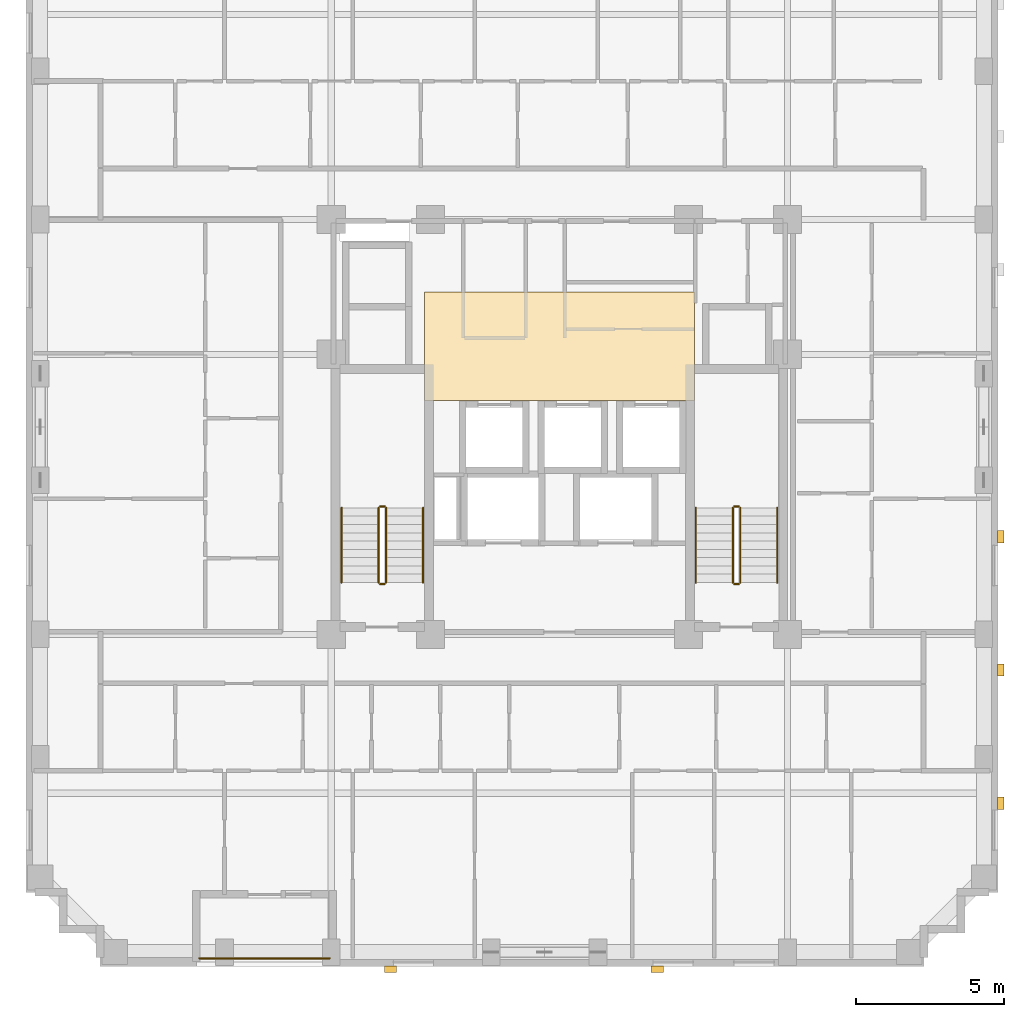
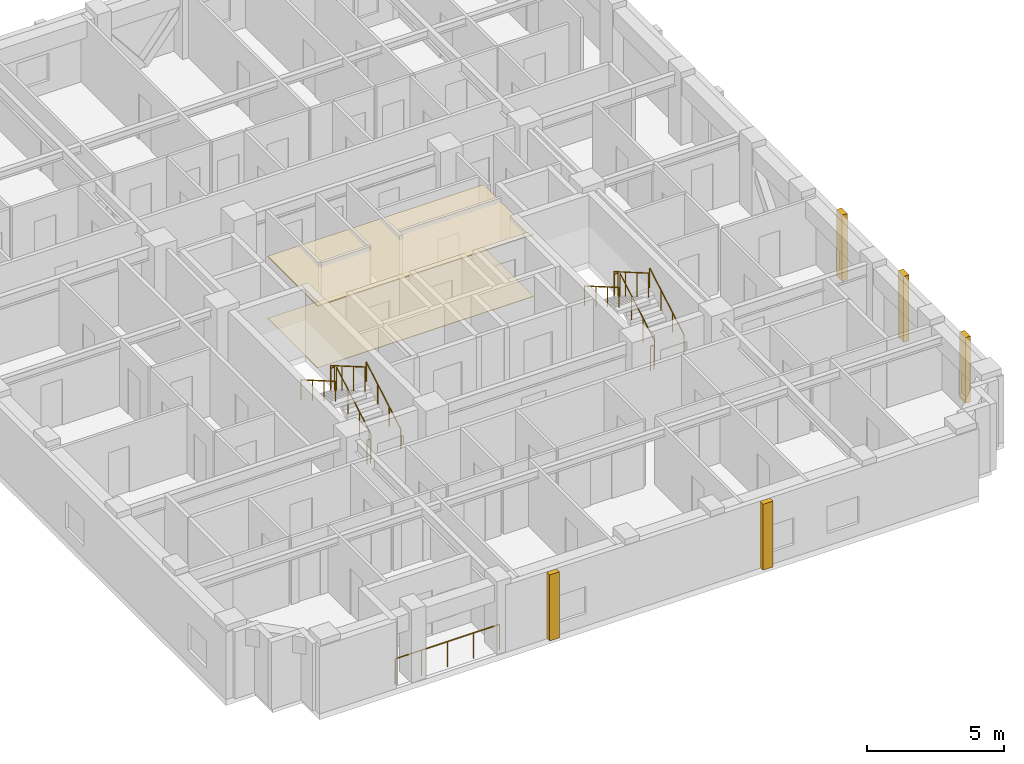
# One storey, part 10 of 11: 13 railings, 7 coverings.
"""IFC4 building model written with IfcOpenShell, lengths in metres."""

import ifcopenshell
import ifcopenshell.guid

model = None  # the IFC model being written
_history = None  # IfcOwnerHistory: only IFC2X3 demands one
_inside = {}  # id of a spatial element -> (the spatial element, [elements in it])
_under = {}  # id of a project, library or spatial element -> (it, [spatial elements below it])
_declared = {}  # id of a project -> (the project, [libraries it declares])
_typed = {}  # id of a type object -> (the type object, [elements of that type])
_made_of = {}  # id of a material, layer set ... -> (it, [elements and type objects made of it])


def new_model(schema):
    """Start an empty IFC model of exactly this schema.

    Asked for "IFC4X3", IfcOpenShell would pick the latest addendum, in which some entities
    have other attributes; the version numbers below select the first issue.
    IFC2X3 requires an IfcOwnerHistory on every rooted entity: one is made here for all.
    """
    global model, _history
    if schema == "IFC4X3":
        model = ifcopenshell.file(schema_version=(4, 3, 0, 0))
    else:
        model = ifcopenshell.file(schema=schema)
    _inside.clear()
    _under.clear()
    _declared.clear()
    _typed.clear()
    _made_of.clear()
    _history = None
    if model.schema == "IFC2X3":
        org = make("IfcOrganization", Name="unknown")
        user = make(
            "IfcPersonAndOrganization",
            ThePerson=make("IfcPerson", FamilyName="unknown"),
            TheOrganization=org,
        )
        app = make(
            "IfcApplication",
            ApplicationDeveloper=org,
            Version="unknown",
            ApplicationFullName="unknown",
            ApplicationIdentifier="unknown",
        )
        _history = make(
            "IfcOwnerHistory",
            OwningUser=user,
            OwningApplication=app,
            ChangeAction="ADDED",
            CreationDate=0,
        )
    return model


def make(cls, **values):
    """One entity of the class cls with the attributes given. An attribute that is None is left unset."""
    return model.create_entity(
        cls, **{name: value for name, value in values.items() if value is not None}
    )


def rooted(cls, **values):
    """An entity with a GlobalId (a new one), such as an element, a storey or a relation."""
    return make(cls, GlobalId=ifcopenshell.guid.new(), OwnerHistory=_history, **values)


def si_unit(unit_type, name, prefix=None):
    """IfcSIUnit, for example si_unit("LENGTHUNIT", "METRE", prefix="MILLI")."""
    return make("IfcSIUnit", UnitType=unit_type, Prefix=prefix, Name=name)


def derived_unit(unit_type, elements):
    """IfcDerivedUnit: a product of units, each with its exponent."""
    return make(
        "IfcDerivedUnit",
        Elements=[
            make("IfcDerivedUnitElement", Unit=unit, Exponent=power)
            for unit, power in elements
        ],
        UnitType=unit_type,
    )


def assignment(units):
    """IfcUnitAssignment: the units of a project."""
    return None if units is None else make("IfcUnitAssignment", Units=units)


def point(xyz):
    """IfcCartesianPoint."""
    return None if xyz is None else make("IfcCartesianPoint", Coordinates=xyz)


def direction(xyz):
    """IfcDirection."""
    return None if xyz is None else make("IfcDirection", DirectionRatios=xyz)


def frame(location, z_axis=None, x_axis=None):
    """IfcAxis2Placement3D, a coordinate frame: its origin and axes. An axis left out is left unset."""
    return make(
        "IfcAxis2Placement3D",
        Location=point(location),
        Axis=direction(z_axis),
        RefDirection=direction(x_axis),
    )


def frame_2d(location, x_axis=None):
    """IfcAxis2Placement2D, a coordinate frame in the plane: its origin and x axis."""
    return make(
        "IfcAxis2Placement2D", Location=point(location), RefDirection=direction(x_axis)
    )


def origin():
    """The frame at (0, 0, 0) with its axes left unset."""
    return frame((0.0, 0.0, 0.0))


def origin_2d():
    """The frame at (0, 0) in the plane with its x axis left unset."""
    return frame_2d((0.0, 0.0))


def place(relative_to, where):
    """IfcLocalPlacement: puts the frame where relative to a parent placement (None: the world)."""
    return make(
        "IfcLocalPlacement", PlacementRelTo=relative_to, RelativePlacement=where
    )


def context(
    kind, dimensions, precision=None, world=None, true_north=None, identifier=None
):
    """IfcGeometricRepresentationContext, for example the 3D "Model" context."""
    return make(
        "IfcGeometricRepresentationContext",
        ContextIdentifier=identifier,
        ContextType=kind,
        CoordinateSpaceDimension=dimensions,
        Precision=precision,
        WorldCoordinateSystem=world,
        TrueNorth=true_north,
    )


def subcontext(parent, identifier, kind, view, scale=None):
    """IfcGeometricRepresentationSubContext, for example "Body" below "Model"."""
    return make(
        "IfcGeometricRepresentationSubContext",
        ContextIdentifier=identifier,
        ContextType=kind,
        ParentContext=parent,
        TargetScale=scale,
        TargetView=view,
    )


def project(units=None, contexts=None):
    """IfcProject with its units and contexts."""
    return rooted(
        "IfcProject",
        Name="project",
        RepresentationContexts=contexts,
        UnitsInContext=assignment(units),
    )


def spatial(cls, under=None, at=None, **own):
    """A site, building, storey or space (cls), placed at a placement, below another one or the project."""
    s = rooted(cls, ObjectPlacement=at, **own)
    if under is not None:
        _under.setdefault(under.id(), (under, []))[1].append(s)
    return s


def polyline(points):
    """IfcPolyline through the points."""
    return make("IfcPolyline", Points=[point(p) for p in points])


def profile(cls, at=None, kind="AREA", **sizes):
    """A parametric profile (cls). Its sizes go by their IFC names, for example OverallWidth=200.0."""
    return make(cls, ProfileType=kind, Position=at, **sizes)


def rectangle(**sizes):
    """IfcRectangleProfileDef."""
    return profile("IfcRectangleProfileDef", **sizes)


def circle(**sizes):
    """IfcCircleProfileDef."""
    return profile("IfcCircleProfileDef", **sizes)


def outline(outer, holes=None, kind="AREA"):
    """IfcArbitraryClosedProfileDef: a profile drawn as a closed curve; with holes, ...WithVoids."""
    if holes is None:
        return make("IfcArbitraryClosedProfileDef", ProfileType=kind, OuterCurve=outer)
    return make(
        "IfcArbitraryProfileDefWithVoids",
        ProfileType=kind,
        OuterCurve=outer,
        InnerCurves=holes,
    )


def extrude(swept, where, along, depth):
    """IfcExtrudedAreaSolid: the profile swept, set in the frame where, extruded along a direction by depth."""
    return make(
        "IfcExtrudedAreaSolid",
        SweptArea=swept,
        Position=where,
        ExtrudedDirection=direction(along),
        Depth=depth,
    )


def shape(context_of_items, identifier, shape_type, items):
    """IfcShapeRepresentation: the items that make up one representation, for example the "Body"."""
    return make(
        "IfcShapeRepresentation",
        ContextOfItems=context_of_items,
        RepresentationIdentifier=identifier,
        RepresentationType=shape_type,
        Items=items,
    )


def material(Name=None, Category=None):
    """IfcMaterial."""
    return make("IfcMaterial", Name=Name, Category=Category)


def layer(
    of_material, thickness, ventilated=None, Name=None, Category=None, Priority=None
):
    """IfcMaterialLayer: one layer of a wall or slab, of a material (None: an air gap)."""
    return make(
        "IfcMaterialLayer",
        Material=of_material,
        LayerThickness=thickness,
        IsVentilated=ventilated,
        Name=Name,
        Category=Category,
        Priority=Priority,
    )


def layer_set(layers, Name=None):
    """IfcMaterialLayerSet."""
    return make("IfcMaterialLayerSet", MaterialLayers=layers, LayerSetName=Name)


def made_of(thing, what):
    """Note that an element or type object is made of a material, layer set ...; save() writes the relation."""
    if what is not None:
        _made_of.setdefault(what.id(), (what, []))[1].append(thing)
    return thing


def type_object(cls, material=None, **own):
    """A type object (cls), such as IfcWallType, which elements share."""
    return made_of(rooted(cls, **own), material)


def element(
    cls,
    number,
    at=None,
    inside=None,
    cuts=None,
    type_object=None,
    material=None,
    context=None,
    identifier="Body",
    shape_type=None,
    held_by="IfcProductDefinitionShape",
    body=None,
    shapes=None,
    **own,
):
    """One element of the class cls, such as IfcWall. Its Tag is "e" and its number.

    at: its placement. inside: the storey or other place that contains it. cuts: it is an
    opening in that element (IfcRelVoidsElement). A single representation is given by context,
    identifier, shape_type and body (its items); several are given by shapes. held_by: the class
    of the entity that holds the representations. save() writes the other relations.
    """
    e = rooted(cls, Tag="e%d" % number, ObjectPlacement=at, **own)
    if body is not None:
        shapes = [shape(context, identifier, shape_type, body)]
    if shapes is not None:
        e.Representation = make(held_by, Representations=shapes)
    if inside is not None:
        _inside.setdefault(inside.id(), (inside, []))[1].append(e)
    if cuts is not None:
        rooted(
            "IfcRelVoidsElement", RelatingBuildingElement=cuts, RelatedOpeningElement=e
        )
    if type_object is not None:
        _typed.setdefault(type_object.id(), (type_object, []))[1].append(e)
    return made_of(e, material)


def aggregate(whole, parts):
    """IfcRelAggregates: a whole, such as a stair, and the parts it consists of."""
    return rooted("IfcRelAggregates", RelatingObject=whole, RelatedObjects=parts)


def save(model, path):
    """Write the relations noted so far, then the file.

    IfcRelAggregates (storeys below a building ...), IfcRelContainedInSpatialStructure (elements
    in a storey), IfcRelDefinesByType, IfcRelAssociatesMaterial and IfcRelDeclares: one each for
    every whole, place, type object, material and project.
    """
    for whole, parts in _under.values():
        aggregate(whole, parts)
    for where, things in _inside.values():
        rooted(
            "IfcRelContainedInSpatialStructure",
            RelatedElements=things,
            RelatingStructure=where,
        )
    for kind, things in _typed.values():
        rooted("IfcRelDefinesByType", RelatedObjects=things, RelatingType=kind)
    for what, things in _made_of.values():
        rooted("IfcRelAssociatesMaterial", RelatedObjects=things, RelatingMaterial=what)
    for by, libraries in _declared.values():
        rooted("IfcRelDeclares", RelatingContext=by, RelatedDefinitions=libraries)
    model.write(path)


model = new_model("IFC4")

# Units and contexts
model_context = context("Model", 3, precision=1e-05, world=origin(), true_north=direction((0.0, 1.0)))
body_context = subcontext(model_context, "Body", "Model", "MODEL_VIEW")
ifc_project = project(units=[si_unit("LENGTHUNIT", "METRE"), si_unit("AREAUNIT", "SQUARE_METRE"), si_unit("VOLUMEUNIT", "CUBIC_METRE"), si_unit("PLANEANGLEUNIT", "RADIAN"), si_unit("MASSUNIT", "GRAM", prefix="KILO"), derived_unit("THERMALTRANSMITTANCEUNIT", [(si_unit("MASSUNIT", "GRAM", prefix="KILO"), 1), (si_unit("TIMEUNIT", "SECOND"), -3), (si_unit("THERMODYNAMICTEMPERATUREUNIT", "KELVIN"), -1)])], contexts=[model_context])

# Site, building, storey
site_placement = place(None, origin())
site = spatial("IfcSite", under=ifc_project, at=site_placement, CompositionType="ELEMENT")
building_placement = place(site_placement, origin())
building = spatial("IfcBuilding", under=site, at=building_placement, Name="Korrvale Station Residences", CompositionType="ELEMENT")
storey_placement = place(building_placement, frame((0.0, 0.0, 150.39990234375)))
storey = spatial("IfcBuildingStorey", under=building, at=storey_placement, Name="L43", CompositionType="ELEMENT", Elevation=150.39990234375)

# Coverings
ifc_material_1 = material(Name="Perforated acoustic mineral-fibre suspended ceiling", Category="gypsum")
ifc_layer_1 = layer(ifc_material_1, 0.050048828125, Name="Perforated acoustic mineral-fibre suspended ceiling")
ifc_layer_set_1 = layer_set([ifc_layer_1], Name="Perforated acoustic mineral-fibre suspended ceiling")
covering_type_1 = type_object("IfcCoveringType", Name="COV-CLG-AC60", PredefinedType="CEILING", material=ifc_layer_set_1)
covering_1_placement = place(storey_placement, frame((0.0, 0.0, 2.739990234375)))
element("IfcCovering", 1, at=covering_1_placement, inside=storey, type_object=covering_type_1, Name="L43 Elevator Lobby Acoustic Ceiling", PredefinedType="CEILING", context=body_context, shape_type="SweptSolid", body=[
    extrude(outline(polyline([(20.949951171875, 22.89990234375), (30.050048828125, 22.89990234375), (30.050048828125, 26.550048828125), (20.949951171875, 26.550048828125), (20.949951171875, 22.89990234375)])), origin(), (0.0, 0.0, 1.0), 0.050048828125),
])
ifc_material_2 = material(Name="Polished quartz-terrazzo lobby flooring", Category="masonry")
ifc_layer_2 = layer(ifc_material_2, 0.02001953125, Name="Polished quartz-terrazzo lobby flooring")
ifc_layer_set_2 = layer_set([ifc_layer_2], Name="Polished quartz-terrazzo lobby flooring")
covering_type_2 = type_object("IfcCoveringType", Name="COV-FLR-TER20", PredefinedType="FLOORING", material=ifc_layer_set_2)
covering_2_placement = place(storey_placement, origin())
element("IfcCovering", 2, at=covering_2_placement, inside=storey, type_object=covering_type_2, Name="L43 Elevator Lobby Terrazzo Flooring", PredefinedType="FLOORING", context=body_context, shape_type="SweptSolid", body=[
    extrude(outline(polyline([(20.949951171875, 22.89990234375), (30.050048828125, 22.89990234375), (30.050048828125, 26.550048828125), (20.949951171875, 26.550048828125), (20.949951171875, 22.89990234375)])), origin(), (0.0, 0.0, 1.0), 0.02001953125),
])
ifc_material_3 = material(Name="Architectural precast concrete C45/55", Category="concrete")
ifc_layer_3 = layer(ifc_material_3, 0.219970703125, Name="Architectural precast concrete C45/55")
ifc_layer_set_3 = layer_set([ifc_layer_3], Name="Architectural precast concrete C45/55")
covering_type_3 = type_object("IfcCoveringType", Name="COV-PIER-400", PredefinedType="CLADDING", material=ifc_layer_set_3)
for number, where, z_axis, x_axis, name in (
    (3, (28.800048828125, 3.7099609375, 0.025146484375), (0.0, 0.0, 1.0), (1.0, 0.0, 0.0), "L43 Architectural Precast Facade Pier 01"),
    (4, (19.800048828125, 3.7099609375, 0.025146484375), (0.0, 0.0, 1.0), (1.0, 0.0, 0.0), "L43 Architectural Precast Facade Pier 02"),
    (5, (40.389892578125, 18.300048828125, 0.025146484375), (0.0, 0.0, 1.0), (0.0, 1.0, 0.0), "L43 Architectural Precast Facade Pier 08"),
    (6, (40.389892578125, 13.800048828125, 0.025146484375), (0.0, 0.0, 1.0), (0.0, 1.0, 0.0), "L43 Architectural Precast Facade Pier 09"),
    (7, (40.389892578125, 9.300048828125, 0.025146484375), (0.0, 0.0, 1.0), (0.0, 1.0, 0.0), "L43 Architectural Precast Facade Pier 10"),
):
    element("IfcCovering", number, at=place(storey_placement, frame(where, z_axis=z_axis, x_axis=x_axis)), inside=storey, type_object=covering_type_3, Name=name, PredefinedType="CLADDING", context=body_context, shape_type="SweptSolid", body=[
        extrude(rectangle(XDim=0.419921875, YDim=0.219970703125, at=origin_2d()), origin(), (0.0, 0.0, 1.0), 2.93994140625),
    ])

# Railings
ifc_material_4 = material(Name="Powder-coated aluminium picket loggia guard", Category="aluminium")
railing_type_1 = type_object("IfcRailingType", Name="RLG-BAL-1150", PredefinedType="GUARDRAIL", material=ifc_material_4)
railing_1_placement = place(storey_placement, frame((13.35009765625, 4.070068359375, 0.0)))
element("IfcRailing", 8, at=railing_1_placement, inside=storey, type_object=railing_type_1, Name="L43 Recessed Loggia Guardrail BAL-L43-S1", PredefinedType="GUARDRAIL", context=body_context, shape_type="SweptSolid", body=[
    extrude(circle(Radius=0.02392578125, at=origin_2d()), frame((0.0, 0.0, 1.1259765625), z_axis=(1.0, 0.0, 0.0), x_axis=(0.0, 1.0, 0.0)), (0.0, 0.0, 1.0), 4.39990234375),
    extrude(circle(Radius=0.02099609375, at=origin_2d()), origin(), (0.0, 0.0, 1.0), 1.101806640625),
    extrude(circle(Radius=0.02099609375, at=origin_2d()), frame((1.10009765625, 0.0, 0.0)), (0.0, 0.0, 1.0), 1.101806640625),
    extrude(circle(Radius=0.02099609375, at=origin_2d()), frame((2.199951171875, 0.0, 0.0)), (0.0, 0.0, 1.0), 1.101806640625),
    extrude(circle(Radius=0.02099609375, at=origin_2d()), frame((3.2998046875, 0.0, 0.0)), (0.0, 0.0, 1.0), 1.101806640625),
    extrude(circle(Radius=0.02099609375, at=origin_2d()), frame((4.39990234375, 0.0, 0.0)), (0.0, 0.0, 1.0), 1.101806640625),
])
ifc_material_5 = material(Name="Brushed stainless-steel continuous stair handrail", Category="steel")
railing_type_2 = type_object("IfcRailingType", Name="RLG-SHND-900", PredefinedType="HANDRAIL", material=ifc_material_5)
railing_2_placement = place(storey_placement, frame((20.89990234375, 16.75, 0.16259765625)))
element("IfcRailing", 9, at=railing_2_placement, inside=storey, type_object=railing_type_2, Name="L43 ST-1 stair handrail 1", PredefinedType="HANDRAIL", context=body_context, shape_type="SweptSolid", body=[
    extrude(circle(Radius=0.02392578125, at=origin_2d()), frame((0.0, 0.0, 0.8759765625), z_axis=(0.0, 0.864913338283, 0.50192122615), x_axis=(-1.0, 0.0, 0.0)), (0.0, 0.0, 1.0), 2.91357421875),
    extrude(circle(Radius=0.02099609375, at=origin_2d()), origin(), (0.0, 0.0, 1.0), 0.851806640625),
    extrude(circle(Radius=0.02099609375, at=origin_2d()), frame((0.0, 0.840087890625, 0.487548828125)), (0.0, 0.0, 1.0), 0.851806640625),
    extrude(circle(Radius=0.02099609375, at=origin_2d()), frame((0.0, 1.679931640625, 0.974853515625)), (0.0, 0.0, 1.0), 0.851806640625),
    extrude(circle(Radius=0.02099609375, at=origin_2d()), frame((0.0, 2.52001953125, 1.46240234375)), (0.0, 0.0, 1.0), 0.851806640625),
])
railing_3_placement = place(storey_placement, frame((18.14990234375, 19.27001953125, 1.78759765625)))
element("IfcRailing", 10, at=railing_3_placement, inside=storey, type_object=railing_type_2, Name="L43 ST-1 stair handrail 2", PredefinedType="HANDRAIL", context=body_context, shape_type="SweptSolid", body=[
    extrude(circle(Radius=0.02392578125, at=origin_2d()), frame((0.0, 0.0, 0.8759765625), z_axis=(0.0, -0.864913338283, 0.50192122615), x_axis=(1.0, 0.0, 0.0)), (0.0, 0.0, 1.0), 2.91357421875),
    extrude(circle(Radius=0.02099609375, at=origin_2d()), origin(), (0.0, 0.0, 1.0), 0.851806640625),
    extrude(circle(Radius=0.02099609375, at=origin_2d()), frame((0.0, -0.840087890625, 0.487548828125)), (0.0, 0.0, 1.0), 0.851806640625),
    extrude(circle(Radius=0.02099609375, at=origin_2d()), frame((0.0, -1.679931640625, 0.974853515625)), (0.0, 0.0, 1.0), 0.851806640625),
    extrude(circle(Radius=0.02099609375, at=origin_2d()), frame((0.0, -2.52001953125, 1.46240234375)), (0.0, 0.0, 1.0), 0.851806640625),
])
railing_4_placement = place(storey_placement, frame((32.85009765625, 16.75, 0.16259765625)))
element("IfcRailing", 11, at=railing_4_placement, inside=storey, type_object=railing_type_2, Name="L43 ST-2 stair handrail 1", PredefinedType="HANDRAIL", context=body_context, shape_type="SweptSolid", body=[
    extrude(circle(Radius=0.02392578125, at=origin_2d()), frame((0.0, 0.0, 0.8759765625), z_axis=(0.0, 0.864913338283, 0.50192122615), x_axis=(-1.0, 0.0, 0.0)), (0.0, 0.0, 1.0), 2.91357421875),
    extrude(circle(Radius=0.02099609375, at=origin_2d()), origin(), (0.0, 0.0, 1.0), 0.851806640625),
    extrude(circle(Radius=0.02099609375, at=origin_2d()), frame((0.0, 0.840087890625, 0.487548828125)), (0.0, 0.0, 1.0), 0.851806640625),
    extrude(circle(Radius=0.02099609375, at=origin_2d()), frame((0.0, 1.679931640625, 0.974853515625)), (0.0, 0.0, 1.0), 0.851806640625),
    extrude(circle(Radius=0.02099609375, at=origin_2d()), frame((0.0, 2.52001953125, 1.46240234375)), (0.0, 0.0, 1.0), 0.851806640625),
])
railing_5_placement = place(storey_placement, frame((30.10009765625, 19.27001953125, 1.78759765625)))
element("IfcRailing", 12, at=railing_5_placement, inside=storey, type_object=railing_type_2, Name="L43 ST-2 stair handrail 2", PredefinedType="HANDRAIL", context=body_context, shape_type="SweptSolid", body=[
    extrude(circle(Radius=0.02392578125, at=origin_2d()), frame((0.0, 0.0, 0.8759765625), z_axis=(0.0, -0.864913338283, 0.50192122615), x_axis=(1.0, 0.0, 0.0)), (0.0, 0.0, 1.0), 2.91357421875),
    extrude(circle(Radius=0.02099609375, at=origin_2d()), origin(), (0.0, 0.0, 1.0), 0.851806640625),
    extrude(circle(Radius=0.02099609375, at=origin_2d()), frame((0.0, -0.840087890625, 0.487548828125)), (0.0, 0.0, 1.0), 0.851806640625),
    extrude(circle(Radius=0.02099609375, at=origin_2d()), frame((0.0, -1.679931640625, 0.974853515625)), (0.0, 0.0, 1.0), 0.851806640625),
    extrude(circle(Radius=0.02099609375, at=origin_2d()), frame((0.0, -2.52001953125, 1.46240234375)), (0.0, 0.0, 1.0), 0.851806640625),
])
ifc_material_6 = material(Name="Galvanised painted tubular steel stair guard", Category="steel")
railing_type_3 = type_object("IfcRailingType", Name="RLG-STR-1100", PredefinedType="GUARDRAIL", material=ifc_material_6)
railing_6_placement = place(storey_placement, frame((19.64990234375, 16.75, 0.16259765625)))
element("IfcRailing", 13, at=railing_6_placement, inside=storey, type_object=railing_type_3, Name="L43 ST-1 stair guard 1", PredefinedType="GUARDRAIL", context=body_context, shape_type="SweptSolid", body=[
    extrude(circle(Radius=0.02392578125, at=origin_2d()), frame((0.0, 0.0, 1.076171875), z_axis=(0.0, 0.864913338283, 0.50192122615), x_axis=(-1.0, 0.0, 0.0)), (0.0, 0.0, 1.0), 2.91357421875),
    extrude(circle(Radius=0.02099609375, at=origin_2d()), origin(), (0.0, 0.0, 1.0), 1.052001953125),
    extrude(circle(Radius=0.02099609375, at=origin_2d()), frame((0.0, 0.840087890625, 0.487548828125)), (0.0, 0.0, 1.0), 1.052001953125),
    extrude(circle(Radius=0.02099609375, at=origin_2d()), frame((0.0, 1.679931640625, 0.974853515625)), (0.0, 0.0, 1.0), 1.052001953125),
    extrude(circle(Radius=0.02099609375, at=origin_2d()), frame((0.0, 2.52001953125, 1.46240234375)), (0.0, 0.0, 1.0), 1.052001953125),
])
railing_7_placement = place(storey_placement, frame((19.60009765625, 19.320068359375, 1.625)))
element("IfcRailing", 14, at=railing_7_placement, inside=storey, type_object=railing_type_3, Name="L43 ST-1 stair guard 2", PredefinedType="GUARDRAIL", context=body_context, shape_type="SweptSolid", body=[
    extrude(circle(Radius=0.02392578125, at=origin_2d()), frame((0.0, 0.0, 1.076171875), z_axis=(-1.0, 0.0, 0.0), x_axis=(0.0, -1.0, 0.0)), (0.0, 0.0, 1.0), 0.150146484375),
    extrude(circle(Radius=0.02099609375, at=origin_2d()), origin(), (0.0, 0.0, 1.0), 1.052001953125),
    extrude(circle(Radius=0.02099609375, at=origin_2d()), frame((-0.150146484375, 0.0, 0.0)), (0.0, 0.0, 1.0), 1.052001953125),
])
railing_8_placement = place(storey_placement, frame((19.39990234375, 19.27001953125, 1.78759765625)))
element("IfcRailing", 15, at=railing_8_placement, inside=storey, type_object=railing_type_3, Name="L43 ST-1 stair guard 3", PredefinedType="GUARDRAIL", context=body_context, shape_type="SweptSolid", body=[
    extrude(circle(Radius=0.02392578125, at=origin_2d()), frame((0.0, 0.0, 1.076171875), z_axis=(0.0, -0.864913338283, 0.50192122615), x_axis=(1.0, 0.0, 0.0)), (0.0, 0.0, 1.0), 2.91357421875),
    extrude(circle(Radius=0.02099609375, at=origin_2d()), origin(), (0.0, 0.0, 1.0), 1.052001953125),
    extrude(circle(Radius=0.02099609375, at=origin_2d()), frame((0.0, -0.840087890625, 0.487548828125)), (0.0, 0.0, 1.0), 1.052001953125),
    extrude(circle(Radius=0.02099609375, at=origin_2d()), frame((0.0, -1.679931640625, 0.974853515625)), (0.0, 0.0, 1.0), 1.052001953125),
    extrude(circle(Radius=0.02099609375, at=origin_2d()), frame((0.0, -2.52001953125, 1.46240234375)), (0.0, 0.0, 1.0), 1.052001953125),
])
railing_9_placement = place(storey_placement, frame((19.60009765625, 16.699951171875, 0.0)))
element("IfcRailing", 16, at=railing_9_placement, inside=storey, type_object=railing_type_3, Name="L43 ST-1 stair guard 4", PredefinedType="GUARDRAIL", context=body_context, shape_type="SweptSolid", body=[
    extrude(circle(Radius=0.02392578125, at=origin_2d()), frame((0.0, 0.0, 1.076171875), z_axis=(-1.0, 0.0, 0.0), x_axis=(0.0, -1.0, 0.0)), (0.0, 0.0, 1.0), 0.150146484375),
    extrude(circle(Radius=0.02099609375, at=origin_2d()), origin(), (0.0, 0.0, 1.0), 1.052001953125),
    extrude(circle(Radius=0.02099609375, at=origin_2d()), frame((-0.150146484375, 0.0, 0.0)), (0.0, 0.0, 1.0), 1.052001953125),
])
railing_10_placement = place(storey_placement, frame((31.60009765625, 16.75, 0.16259765625)))
element("IfcRailing", 17, at=railing_10_placement, inside=storey, type_object=railing_type_3, Name="L43 ST-2 stair guard 1", PredefinedType="GUARDRAIL", context=body_context, shape_type="SweptSolid", body=[
    extrude(circle(Radius=0.02392578125, at=origin_2d()), frame((0.0, 0.0, 1.076171875), z_axis=(0.0, 0.864913338283, 0.50192122615), x_axis=(-1.0, 0.0, 0.0)), (0.0, 0.0, 1.0), 2.91357421875),
    extrude(circle(Radius=0.02099609375, at=origin_2d()), origin(), (0.0, 0.0, 1.0), 1.052001953125),
    extrude(circle(Radius=0.02099609375, at=origin_2d()), frame((0.0, 0.840087890625, 0.487548828125)), (0.0, 0.0, 1.0), 1.052001953125),
    extrude(circle(Radius=0.02099609375, at=origin_2d()), frame((0.0, 1.679931640625, 0.974853515625)), (0.0, 0.0, 1.0), 1.052001953125),
    extrude(circle(Radius=0.02099609375, at=origin_2d()), frame((0.0, 2.52001953125, 1.46240234375)), (0.0, 0.0, 1.0), 1.052001953125),
])
railing_11_placement = place(storey_placement, frame((31.550048828125, 19.320068359375, 1.625)))
element("IfcRailing", 18, at=railing_11_placement, inside=storey, type_object=railing_type_3, Name="L43 ST-2 stair guard 2", PredefinedType="GUARDRAIL", context=body_context, shape_type="SweptSolid", body=[
    extrude(circle(Radius=0.02392578125, at=origin_2d()), frame((0.0, 0.0, 1.076171875), z_axis=(-1.0, 0.0, 0.0), x_axis=(0.0, -1.0, 0.0)), (0.0, 0.0, 1.0), 0.150146484375),
    extrude(circle(Radius=0.02099609375, at=origin_2d()), origin(), (0.0, 0.0, 1.0), 1.052001953125),
    extrude(circle(Radius=0.02099609375, at=origin_2d()), frame((-0.150146484375, 0.0, 0.0)), (0.0, 0.0, 1.0), 1.052001953125),
])
railing_12_placement = place(storey_placement, frame((31.35009765625, 19.27001953125, 1.78759765625)))
element("IfcRailing", 19, at=railing_12_placement, inside=storey, type_object=railing_type_3, Name="L43 ST-2 stair guard 3", PredefinedType="GUARDRAIL", context=body_context, shape_type="SweptSolid", body=[
    extrude(circle(Radius=0.02392578125, at=origin_2d()), frame((0.0, 0.0, 1.076171875), z_axis=(0.0, -0.864913338283, 0.50192122615), x_axis=(1.0, 0.0, 0.0)), (0.0, 0.0, 1.0), 2.91357421875),
    extrude(circle(Radius=0.02099609375, at=origin_2d()), origin(), (0.0, 0.0, 1.0), 1.052001953125),
    extrude(circle(Radius=0.02099609375, at=origin_2d()), frame((0.0, -0.840087890625, 0.487548828125)), (0.0, 0.0, 1.0), 1.052001953125),
    extrude(circle(Radius=0.02099609375, at=origin_2d()), frame((0.0, -1.679931640625, 0.974853515625)), (0.0, 0.0, 1.0), 1.052001953125),
    extrude(circle(Radius=0.02099609375, at=origin_2d()), frame((0.0, -2.52001953125, 1.46240234375)), (0.0, 0.0, 1.0), 1.052001953125),
])
railing_13_placement = place(storey_placement, frame((31.550048828125, 16.699951171875, 0.0)))
element("IfcRailing", 20, at=railing_13_placement, inside=storey, type_object=railing_type_3, Name="L43 ST-2 stair guard 4", PredefinedType="GUARDRAIL", context=body_context, shape_type="SweptSolid", body=[
    extrude(circle(Radius=0.02392578125, at=origin_2d()), frame((0.0, 0.0, 1.076171875), z_axis=(-1.0, 0.0, 0.0), x_axis=(0.0, -1.0, 0.0)), (0.0, 0.0, 1.0), 0.150146484375),
    extrude(circle(Radius=0.02099609375, at=origin_2d()), origin(), (0.0, 0.0, 1.0), 1.052001953125),
    extrude(circle(Radius=0.02099609375, at=origin_2d()), frame((-0.150146484375, 0.0, 0.0)), (0.0, 0.0, 1.0), 1.052001953125),
])

save(model, "model.ifc")
